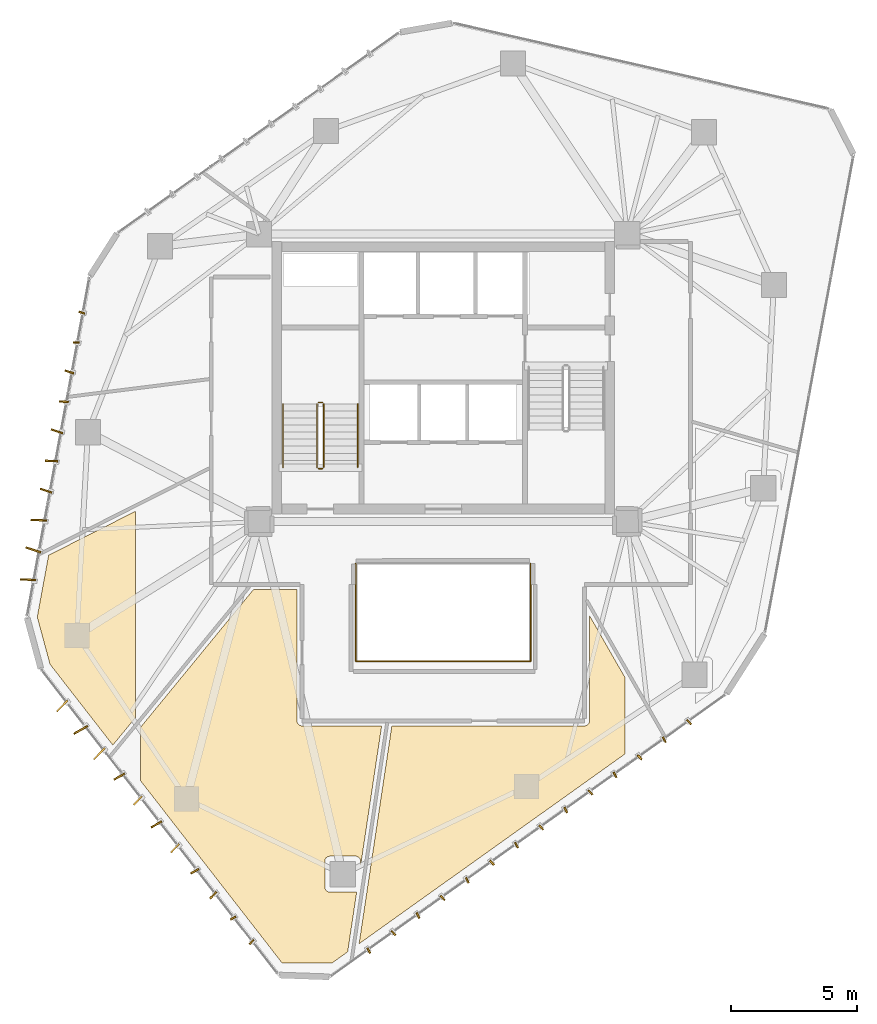
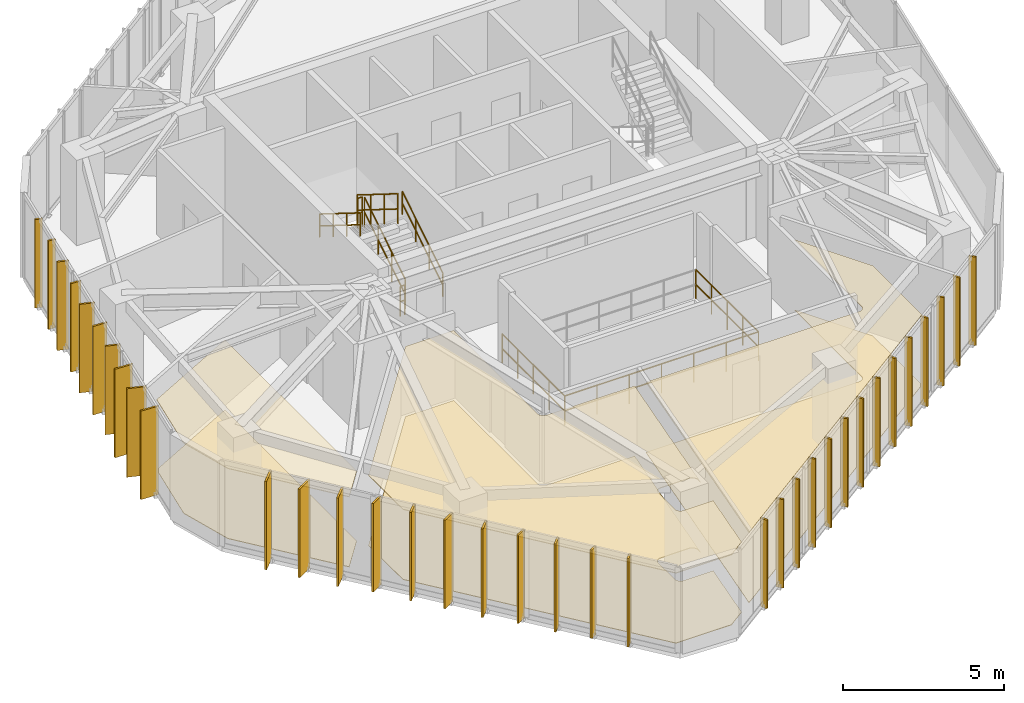
# One storey, part 18 of 19: 35 shading devices, 9 railings, 6 coverings.
"""IFC4 building model written with IfcOpenShell, lengths in metres."""

from ifc_helpers import new_model, si_unit, direction, frame, origin, origin_2d, place, context, subcontext, project, spatial, polyline, rectangle, circle, outline, extrude, source, transform, mapped, material, layer, layer_set, type_object, type_shapes, element, save


model = new_model("IFC4")

# Units and contexts
model_context = context("Model", 3, precision=1e-05, world=origin(), true_north=direction((0.0, 1.0)))
body_context = subcontext(model_context, "Body", "Model", "MODEL_VIEW")
ifc_project = project(units=[si_unit("LENGTHUNIT", "METRE"), si_unit("AREAUNIT", "SQUARE_METRE"), si_unit("VOLUMEUNIT", "CUBIC_METRE"), si_unit("PLANEANGLEUNIT", "RADIAN"), si_unit("MASSUNIT", "GRAM", prefix="KILO")], contexts=[model_context])

# Site, building, storey
site_placement = place(None, origin())
site = spatial("IfcSite", under=ifc_project, at=site_placement, CompositionType="ELEMENT")
building_placement = place(site_placement, origin())
building = spatial("IfcBuilding", under=site, at=building_placement, Name="Talar Marvaseh", CompositionType="ELEMENT")
storey_placement = place(building_placement, frame((0.0, 0.0, 195.0)))
storey = spatial("IfcBuildingStorey", under=building, at=storey_placement, Name="L51", CompositionType="ELEMENT", Elevation=195.0)

# Railings
ifc_material_1 = material(Name="Stainless Steel Grade 316", Category="steel")
railing_type_1 = type_object("IfcRailingType", Name="Brushed Stainless Wall Pitch Handrail 900", PredefinedType="HANDRAIL", material=ifc_material_1)
railing_1_placement = place(storey_placement, frame((22.610107421875, 27.64990234375, 0.175048828125)))
element("IfcRailing", 1, at=railing_1_placement, inside=storey, type_object=railing_type_1, Name="L51 ST-1 stair handrail 1", PredefinedType="HANDRAIL", context=body_context, shape_type="SweptSolid", body=[
    extrude(circle(Radius=0.02392578125, at=origin_2d()), frame((0.0, 0.0, 0.8759765625), z_axis=(0.0, 0.848007534815, 0.529984170421), x_axis=(-1.0, 0.0, 0.0)), (0.0, 0.0, 1.0), 2.9716796875),
    extrude(circle(Radius=0.02392578125, at=origin_2d()), frame((0.0, 0.0, 0.42578125), z_axis=(0.0, 0.848007534815, 0.529984170421), x_axis=(-1.0, 0.0, 0.0)), (0.0, 0.0, 1.0), 2.9716796875),
    extrude(circle(Radius=0.02099609375, at=origin_2d()), origin(), (0.0, 0.0, 1.0), 0.851806640625),
    extrude(circle(Radius=0.02099609375, at=origin_2d()), frame((0.0, 0.840087890625, 0.52490234375)), (0.0, 0.0, 1.0), 0.851806640625),
    extrude(circle(Radius=0.02099609375, at=origin_2d()), frame((0.0, 1.679931640625, 1.050048828125)), (0.0, 0.0, 1.0), 0.851806640625),
    extrude(circle(Radius=0.02099609375, at=origin_2d()), frame((0.0, 2.52001953125, 1.574951171875)), (0.0, 0.0, 1.0), 0.851806640625),
])
railing_2_placement = place(storey_placement, frame((19.64990234375, 30.169921875, 1.925048828125)))
element("IfcRailing", 2, at=railing_2_placement, inside=storey, type_object=railing_type_1, Name="L51 ST-1 stair handrail 2", PredefinedType="HANDRAIL", context=body_context, shape_type="SweptSolid", body=[
    extrude(circle(Radius=0.02392578125, at=origin_2d()), frame((0.0, 0.0, 0.8759765625), z_axis=(0.0, -0.848007534815, 0.529984170421), x_axis=(1.0, 0.0, 0.0)), (0.0, 0.0, 1.0), 2.9716796875),
    extrude(circle(Radius=0.02392578125, at=origin_2d()), frame((0.0, 0.0, 0.42578125), z_axis=(0.0, -0.848007534815, 0.529984170421), x_axis=(1.0, 0.0, 0.0)), (0.0, 0.0, 1.0), 2.9716796875),
    extrude(circle(Radius=0.02099609375, at=origin_2d()), origin(), (0.0, 0.0, 1.0), 0.851806640625),
    extrude(circle(Radius=0.02099609375, at=origin_2d()), frame((0.0, -0.840087890625, 0.52490234375)), (0.0, 0.0, 1.0), 0.851806640625),
    extrude(circle(Radius=0.02099609375, at=origin_2d()), frame((0.0, -1.679931640625, 1.050048828125)), (0.0, 0.0, 1.0), 0.851806640625),
    extrude(circle(Radius=0.02099609375, at=origin_2d()), frame((0.0, -2.52001953125, 1.574951171875)), (0.0, 0.0, 1.0), 0.851806640625),
])
ifc_material_2 = material(Name="Tempered Clear Glass", Category="glass")
railing_type_2 = type_object("IfcRailingType", Name="Interior Atrium Edge Balustrade 1120", PredefinedType="BALUSTRADE", material=ifc_material_2)
railing_3_placement = place(storey_placement, frame((22.5302734375, 19.9609375, 0.0)))
element("IfcRailing", 3, at=railing_3_placement, inside=storey, type_object=railing_type_2, Name="L51 Internal Daylight Atrium Balustrade 1", PredefinedType="BALUSTRADE", context=body_context, shape_type="SweptSolid", body=[
    extrude(circle(Radius=0.02392578125, at=origin_2d()), frame((0.0, 0.0, 1.09619140625), z_axis=(1.0, 0.0, 0.0), x_axis=(0.0, 1.0, 0.0)), (0.0, 0.0, 1.0), 6.939453125),
    extrude(circle(Radius=0.02392578125, at=origin_2d()), frame((0.0, 0.0, 0.5361328125), z_axis=(1.0, 0.0, 0.0), x_axis=(0.0, 1.0, 0.0)), (0.0, 0.0, 1.0), 6.939453125),
    extrude(circle(Radius=0.02099609375, at=origin_2d()), origin(), (0.0, 0.0, 1.0), 1.072021484375),
    extrude(circle(Radius=0.02099609375, at=origin_2d()), frame((1.156494140625, 0.0, 0.0)), (0.0, 0.0, 1.0), 1.072021484375),
    extrude(circle(Radius=0.02099609375, at=origin_2d()), frame((2.313232421875, 0.0, 0.0)), (0.0, 0.0, 1.0), 1.072021484375),
    extrude(circle(Radius=0.02099609375, at=origin_2d()), frame((3.4697265625, 0.0, 0.0)), (0.0, 0.0, 1.0), 1.072021484375),
    extrude(circle(Radius=0.02099609375, at=origin_2d()), frame((4.626220703125, 0.0, 0.0)), (0.0, 0.0, 1.0), 1.072021484375),
    extrude(circle(Radius=0.02099609375, at=origin_2d()), frame((5.782958984375, 0.0, 0.0)), (0.0, 0.0, 1.0), 1.072021484375),
    extrude(circle(Radius=0.02099609375, at=origin_2d()), frame((6.939453125, 0.0, 0.0)), (0.0, 0.0, 1.0), 1.072021484375),
])
railing_4_placement = place(storey_placement, frame((29.4697265625, 19.9609375, 0.0)))
element("IfcRailing", 4, at=railing_4_placement, inside=storey, type_object=railing_type_2, Name="L51 Internal Daylight Atrium Balustrade 2", PredefinedType="BALUSTRADE", context=body_context, shape_type="SweptSolid", body=[
    extrude(circle(Radius=0.02392578125, at=origin_2d()), frame((0.0, 0.0, 1.09619140625), z_axis=(0.0, 1.0, 0.0), x_axis=(-1.0, 0.0, 0.0)), (0.0, 0.0, 1.0), 3.878173828125),
    extrude(circle(Radius=0.02392578125, at=origin_2d()), frame((0.0, 0.0, 0.5361328125), z_axis=(0.0, 1.0, 0.0), x_axis=(-1.0, 0.0, 0.0)), (0.0, 0.0, 1.0), 3.878173828125),
    extrude(circle(Radius=0.02099609375, at=origin_2d()), origin(), (0.0, 0.0, 1.0), 1.072021484375),
    extrude(circle(Radius=0.02099609375, at=origin_2d()), frame((0.0, 0.969482421875, 0.0)), (0.0, 0.0, 1.0), 1.072021484375),
    extrude(circle(Radius=0.02099609375, at=origin_2d()), frame((0.0, 1.93896484375, 0.0)), (0.0, 0.0, 1.0), 1.072021484375),
    extrude(circle(Radius=0.02099609375, at=origin_2d()), frame((0.0, 2.90869140625, 0.0)), (0.0, 0.0, 1.0), 1.072021484375),
    extrude(circle(Radius=0.02099609375, at=origin_2d()), frame((0.0, 3.878173828125, 0.0)), (0.0, 0.0, 1.0), 1.072021484375),
])
railing_5_placement = place(storey_placement, frame((22.5302734375, 23.839111328125, 0.0)))
element("IfcRailing", 5, at=railing_5_placement, inside=storey, type_object=railing_type_2, Name="L51 Internal Daylight Atrium Balustrade 4", PredefinedType="BALUSTRADE", context=body_context, shape_type="SweptSolid", body=[
    extrude(circle(Radius=0.02392578125, at=origin_2d()), frame((0.0, 0.0, 1.09619140625), z_axis=(0.0, -1.0, 0.0), x_axis=(1.0, 0.0, 0.0)), (0.0, 0.0, 1.0), 3.878173828125),
    extrude(circle(Radius=0.02392578125, at=origin_2d()), frame((0.0, 0.0, 0.5361328125), z_axis=(0.0, -1.0, 0.0), x_axis=(1.0, 0.0, 0.0)), (0.0, 0.0, 1.0), 3.878173828125),
    extrude(circle(Radius=0.02099609375, at=origin_2d()), origin(), (0.0, 0.0, 1.0), 1.072021484375),
    extrude(circle(Radius=0.02099609375, at=origin_2d()), frame((0.0, -0.969482421875, 0.0)), (0.0, 0.0, 1.0), 1.072021484375),
    extrude(circle(Radius=0.02099609375, at=origin_2d()), frame((0.0, -1.93896484375, 0.0)), (0.0, 0.0, 1.0), 1.072021484375),
    extrude(circle(Radius=0.02099609375, at=origin_2d()), frame((0.0, -2.90869140625, 0.0)), (0.0, 0.0, 1.0), 1.072021484375),
    extrude(circle(Radius=0.02099609375, at=origin_2d()), frame((0.0, -3.878173828125, 0.0)), (0.0, 0.0, 1.0), 1.072021484375),
])
railing_type_3 = type_object("IfcRailingType", Name="Painted Steel Core Stair Well Guardrail 1150", PredefinedType="GUARDRAIL", material=ifc_material_1)
railing_6_placement = place(storey_placement, frame((21.260009765625, 27.64990234375, 0.175048828125)))
element("IfcRailing", 6, at=railing_6_placement, inside=storey, type_object=railing_type_3, Name="L51 ST-1 stair guard 1", PredefinedType="GUARDRAIL", context=body_context, shape_type="SweptSolid", body=[
    extrude(circle(Radius=0.02392578125, at=origin_2d()), frame((0.0, 0.0, 1.1259765625), z_axis=(0.0, 0.848007534815, 0.529984170421), x_axis=(-1.0, 0.0, 0.0)), (0.0, 0.0, 1.0), 2.9716796875),
    extrude(circle(Radius=0.02392578125, at=origin_2d()), frame((0.0, 0.0, 0.55078125), z_axis=(0.0, 0.848007534815, 0.529984170421), x_axis=(-1.0, 0.0, 0.0)), (0.0, 0.0, 1.0), 2.9716796875),
    extrude(circle(Radius=0.02099609375, at=origin_2d()), origin(), (0.0, 0.0, 1.0), 1.101806640625),
    extrude(circle(Radius=0.02099609375, at=origin_2d()), frame((0.0, 0.840087890625, 0.52490234375)), (0.0, 0.0, 1.0), 1.101806640625),
    extrude(circle(Radius=0.02099609375, at=origin_2d()), frame((0.0, 1.679931640625, 1.050048828125)), (0.0, 0.0, 1.0), 1.101806640625),
    extrude(circle(Radius=0.02099609375, at=origin_2d()), frame((0.0, 2.52001953125, 1.574951171875)), (0.0, 0.0, 1.0), 1.101806640625),
])
railing_7_placement = place(storey_placement, frame((21.2099609375, 30.219970703125, 1.75)))
element("IfcRailing", 7, at=railing_7_placement, inside=storey, type_object=railing_type_3, Name="L51 ST-1 stair guard 2", PredefinedType="GUARDRAIL", context=body_context, shape_type="SweptSolid", body=[
    extrude(circle(Radius=0.02392578125, at=origin_2d()), frame((0.0, 0.0, 1.1259765625), z_axis=(-1.0, 0.0, 0.0), x_axis=(0.0, -1.0, 0.0)), (0.0, 0.0, 1.0), 0.159912109375),
    extrude(circle(Radius=0.02392578125, at=origin_2d()), frame((0.0, 0.0, 0.55078125), z_axis=(-1.0, 0.0, 0.0), x_axis=(0.0, -1.0, 0.0)), (0.0, 0.0, 1.0), 0.159912109375),
    extrude(circle(Radius=0.02099609375, at=origin_2d()), origin(), (0.0, 0.0, 1.0), 1.101806640625),
    extrude(circle(Radius=0.02099609375, at=origin_2d()), frame((-0.159912109375, 0.0, 0.0)), (0.0, 0.0, 1.0), 1.101806640625),
])
railing_8_placement = place(storey_placement, frame((21.0, 30.169921875, 1.925048828125)))
element("IfcRailing", 8, at=railing_8_placement, inside=storey, type_object=railing_type_3, Name="L51 ST-1 stair guard 3", PredefinedType="GUARDRAIL", context=body_context, shape_type="SweptSolid", body=[
    extrude(circle(Radius=0.02392578125, at=origin_2d()), frame((0.0, 0.0, 1.1259765625), z_axis=(0.0, -0.848007534815, 0.529984170421), x_axis=(1.0, 0.0, 0.0)), (0.0, 0.0, 1.0), 2.9716796875),
    extrude(circle(Radius=0.02392578125, at=origin_2d()), frame((0.0, 0.0, 0.55078125), z_axis=(0.0, -0.848007534815, 0.529984170421), x_axis=(1.0, 0.0, 0.0)), (0.0, 0.0, 1.0), 2.9716796875),
    extrude(circle(Radius=0.02099609375, at=origin_2d()), origin(), (0.0, 0.0, 1.0), 1.101806640625),
    extrude(circle(Radius=0.02099609375, at=origin_2d()), frame((0.0, -0.840087890625, 0.52490234375)), (0.0, 0.0, 1.0), 1.101806640625),
    extrude(circle(Radius=0.02099609375, at=origin_2d()), frame((0.0, -1.679931640625, 1.050048828125)), (0.0, 0.0, 1.0), 1.101806640625),
    extrude(circle(Radius=0.02099609375, at=origin_2d()), frame((0.0, -2.52001953125, 1.574951171875)), (0.0, 0.0, 1.0), 1.101806640625),
])
railing_9_placement = place(storey_placement, frame((21.2099609375, 27.60009765625, 0.0)))
element("IfcRailing", 9, at=railing_9_placement, inside=storey, type_object=railing_type_3, Name="L51 ST-1 stair guard 4", PredefinedType="GUARDRAIL", context=body_context, shape_type="SweptSolid", body=[
    extrude(circle(Radius=0.02392578125, at=origin_2d()), frame((0.0, 0.0, 1.1259765625), z_axis=(-1.0, 0.0, 0.0), x_axis=(0.0, -1.0, 0.0)), (0.0, 0.0, 1.0), 0.159912109375),
    extrude(circle(Radius=0.02392578125, at=origin_2d()), frame((0.0, 0.0, 0.55078125), z_axis=(-1.0, 0.0, 0.0), x_axis=(0.0, -1.0, 0.0)), (0.0, 0.0, 1.0), 0.159912109375),
    extrude(circle(Radius=0.02099609375, at=origin_2d()), origin(), (0.0, 0.0, 1.0), 1.101806640625),
    extrude(circle(Radius=0.02099609375, at=origin_2d()), frame((-0.159912109375, 0.0, 0.0)), (0.0, 0.0, 1.0), 1.101806640625),
])

# Coverings
ifc_material_3 = material(Name="Mineral Fibre Acoustic Ceiling")
ifc_layer_1 = layer(ifc_material_3, 0.02490234375)
ifc_layer_set_1 = layer_set([ifc_layer_1], Name="Mineral Fibre Acoustic Ceiling")
covering_type_1 = type_object("IfcCoveringType", Name="Perforated Mineral Fibre Acoustic Suspended Ceiling", PredefinedType="CEILING", material=ifc_layer_set_1)
covering_1_placement = place(storey_placement, frame((0.0, 0.0, 2.64990234375)))
element("IfcCovering", 10, at=covering_1_placement, inside=storey, type_object=covering_type_1, Name="L51 Seminar Room Acoustic Ceiling", PredefinedType="CEILING", context=body_context, shape_type="SweptSolid", body=[
    extrude(outline(polyline([(13.800048828125, 25.9111328125), (13.800048828125, 17.7333984375), (12.899169921875, 16.634521484375), (10.408203125, 19.84033203125), (9.901123046875, 21.716064453125), (10.352783203125, 24.169189453125), (13.800048828125, 25.9111328125)])), origin(), (0.0, 0.0, 1.0), 0.025146484375),
])
covering_2_placement = place(storey_placement, frame((0.0, 0.0, 2.64990234375)))
element("IfcCovering", 11, at=covering_2_placement, inside=storey, type_object=covering_type_1, Name="L51 Hospitality Tea Pantry Acoustic Ceiling", PredefinedType="CEILING", context=body_context, shape_type="SweptSolid", body=[
    extrude(outline(polyline([(14.0, 17.346435546875), (18.470703125, 22.800048828125), (20.199951171875, 22.800048828125), (20.199951171875, 17.60009765625), (20.200927734375, 17.580322265625), (20.203857421875, 17.56103515625), (20.20849609375, 17.5419921875), (20.215087890625, 17.5234375), (20.2236328125, 17.505615234375), (20.233642578125, 17.489013671875), (20.245361328125, 17.47314453125), (20.258544921875, 17.45849609375), (20.273193359375, 17.4453125), (20.288818359375, 17.43359375), (20.3056640625, 17.423583984375), (20.323486328125, 17.415283203125), (20.341796875, 17.40869140625), (20.361083984375, 17.40380859375), (20.38037109375, 17.40087890625), (20.39990234375, 17.39990234375), (23.55859375, 17.39990234375), (22.729248046875, 11.8818359375), (22.72998046875, 12.019775390625), (22.72900390625, 12.038330078125), (22.7265625, 12.056640625), (22.722412109375, 12.074951171875), (22.716552734375, 12.092529296875), (22.708984375, 12.109619140625), (22.699951171875, 12.1259765625), (22.689208984375, 12.141357421875), (22.677490234375, 12.155517578125), (22.664306640625, 12.168701171875), (22.6494140625, 12.18212890625), (22.635009765625, 12.194091796875), (22.61962890625, 12.204345703125), (22.603515625, 12.21337890625), (22.586669921875, 12.220703125), (22.569091796875, 12.2265625), (22.551025390625, 12.230712890625), (22.53271484375, 12.233154296875), (22.51416015625, 12.23388671875), (21.50341796875, 12.2294921875), (21.48388671875, 12.228515625), (21.464599609375, 12.2255859375), (21.44580078125, 12.220703125), (21.42724609375, 12.214111328125), (21.40966796875, 12.205810546875), (21.392822265625, 12.195556640625), (21.377197265625, 12.183837890625), (21.36279296875, 12.170654296875), (21.349609375, 12.15625), (21.337890625, 12.140380859375), (21.327880859375, 12.12353515625), (21.319580078125, 12.10595703125), (21.31298828125, 12.08740234375), (21.30810546875, 12.068603515625), (21.305419921875, 12.049072265625), (21.304443359375, 12.029541015625), (21.304443359375, 11.00830078125), (21.305419921875, 10.98876953125), (21.30810546875, 10.969482421875), (21.31298828125, 10.9501953125), (21.319580078125, 10.931884765625), (21.327880859375, 10.9140625), (21.338134765625, 10.897216796875), (21.349853515625, 10.881591796875), (21.363037109375, 10.866943359375), (21.37744140625, 10.853759765625), (21.393310546875, 10.842041015625), (21.41015625, 10.83203125), (21.427978515625, 10.823486328125), (21.4462890625, 10.81689453125), (21.46533203125, 10.812255859375), (21.48486328125, 10.809326171875), (21.50439453125, 10.808349609375), (22.525634765625, 10.808349609375), (22.545166015625, 10.809326171875), (22.564453125, 10.812255859375), (22.568603515625, 10.813232421875), (22.211669921875, 8.437255859375), (21.59912109375, 8.0), (19.607666015625, 8.0), (14.0, 15.21728515625), (14.0, 17.346435546875)])), origin(), (0.0, 0.0, 1.0), 0.025146484375),
])
covering_3_placement = place(storey_placement, frame((0.0, 0.0, 2.64990234375)))
element("IfcCovering", 12, at=covering_3_placement, inside=storey, type_object=covering_type_1, Name="L51 Colloquium Boardroom Acoustic Ceiling", PredefinedType="CEILING", context=body_context, shape_type="SweptSolid", body=[
    extrude(outline(polyline([(31.61962890625, 17.40087890625), (31.638916015625, 17.40380859375), (31.658203125, 17.40869140625), (31.676513671875, 17.415283203125), (31.6943359375, 17.423583984375), (31.711181640625, 17.43359375), (31.726806640625, 17.4453125), (31.741455078125, 17.45849609375), (31.754638671875, 17.47314453125), (31.766357421875, 17.489013671875), (31.7763671875, 17.505615234375), (31.784912109375, 17.5234375), (31.79150390625, 17.5419921875), (31.796142578125, 17.56103515625), (31.799072265625, 17.580322265625), (31.800048828125, 17.60009765625), (31.800048828125, 21.77587890625), (33.199951171875, 19.332763671875), (33.199951171875, 16.277587890625), (22.664794921875, 8.760498046875), (23.963134765625, 17.39990234375), (31.60009765625, 17.39990234375), (31.61962890625, 17.40087890625)])), origin(), (0.0, 0.0, 1.0), 0.025146484375),
])
ifc_material_4 = material(Name="Porcelain Stoneware Tile", Category="masonry")
ifc_layer_2 = layer(ifc_material_4, 0.02001953125)
ifc_layer_set_2 = layer_set([ifc_layer_2], Name="Porcelain Stoneware Tile")
covering_type_2 = type_object("IfcCoveringType", Name="Polished Porcelain Stoneware Gallery Flooring", PredefinedType="FLOORING", material=ifc_layer_set_2)
covering_4_placement = place(storey_placement, origin())
element("IfcCovering", 13, at=covering_4_placement, inside=storey, type_object=covering_type_2, Name="L51 Seminar Room Flooring", PredefinedType="FLOORING", context=body_context, shape_type="SweptSolid", body=[
    extrude(outline(polyline([(13.800048828125, 25.9111328125), (13.800048828125, 17.7333984375), (12.899169921875, 16.634521484375), (10.408203125, 19.84033203125), (9.901123046875, 21.716064453125), (10.352783203125, 24.169189453125), (13.800048828125, 25.9111328125)])), origin(), (0.0, 0.0, 1.0), 0.02001953125),
])
covering_5_placement = place(storey_placement, origin())
element("IfcCovering", 14, at=covering_5_placement, inside=storey, type_object=covering_type_2, Name="L51 Hospitality Tea Pantry Flooring", PredefinedType="FLOORING", context=body_context, shape_type="SweptSolid", body=[
    extrude(outline(polyline([(14.0, 17.346435546875), (18.470703125, 22.800048828125), (20.199951171875, 22.800048828125), (20.199951171875, 17.60009765625), (20.200927734375, 17.580322265625), (20.203857421875, 17.56103515625), (20.20849609375, 17.5419921875), (20.215087890625, 17.5234375), (20.2236328125, 17.505615234375), (20.233642578125, 17.489013671875), (20.245361328125, 17.47314453125), (20.258544921875, 17.45849609375), (20.273193359375, 17.4453125), (20.288818359375, 17.43359375), (20.3056640625, 17.423583984375), (20.323486328125, 17.415283203125), (20.341796875, 17.40869140625), (20.361083984375, 17.40380859375), (20.38037109375, 17.40087890625), (20.39990234375, 17.39990234375), (23.55859375, 17.39990234375), (22.729248046875, 11.8818359375), (22.72998046875, 12.019775390625), (22.72900390625, 12.038330078125), (22.7265625, 12.056640625), (22.722412109375, 12.074951171875), (22.716552734375, 12.092529296875), (22.708984375, 12.109619140625), (22.699951171875, 12.1259765625), (22.689208984375, 12.141357421875), (22.677490234375, 12.155517578125), (22.664306640625, 12.168701171875), (22.6494140625, 12.18212890625), (22.635009765625, 12.194091796875), (22.61962890625, 12.204345703125), (22.603515625, 12.21337890625), (22.586669921875, 12.220703125), (22.569091796875, 12.2265625), (22.551025390625, 12.230712890625), (22.53271484375, 12.233154296875), (22.51416015625, 12.23388671875), (21.50341796875, 12.2294921875), (21.48388671875, 12.228515625), (21.464599609375, 12.2255859375), (21.44580078125, 12.220703125), (21.42724609375, 12.214111328125), (21.40966796875, 12.205810546875), (21.392822265625, 12.195556640625), (21.377197265625, 12.183837890625), (21.36279296875, 12.170654296875), (21.349609375, 12.15625), (21.337890625, 12.140380859375), (21.327880859375, 12.12353515625), (21.319580078125, 12.10595703125), (21.31298828125, 12.08740234375), (21.30810546875, 12.068603515625), (21.305419921875, 12.049072265625), (21.304443359375, 12.029541015625), (21.304443359375, 11.00830078125), (21.305419921875, 10.98876953125), (21.30810546875, 10.969482421875), (21.31298828125, 10.9501953125), (21.319580078125, 10.931884765625), (21.327880859375, 10.9140625), (21.338134765625, 10.897216796875), (21.349853515625, 10.881591796875), (21.363037109375, 10.866943359375), (21.37744140625, 10.853759765625), (21.393310546875, 10.842041015625), (21.41015625, 10.83203125), (21.427978515625, 10.823486328125), (21.4462890625, 10.81689453125), (21.46533203125, 10.812255859375), (21.48486328125, 10.809326171875), (21.50439453125, 10.808349609375), (22.525634765625, 10.808349609375), (22.545166015625, 10.809326171875), (22.564453125, 10.812255859375), (22.568603515625, 10.813232421875), (22.211669921875, 8.437255859375), (21.59912109375, 8.0), (19.607666015625, 8.0), (14.0, 15.21728515625), (14.0, 17.346435546875)])), origin(), (0.0, 0.0, 1.0), 0.02001953125),
])
covering_6_placement = place(storey_placement, origin())
element("IfcCovering", 15, at=covering_6_placement, inside=storey, type_object=covering_type_2, Name="L51 Colloquium Boardroom Flooring", PredefinedType="FLOORING", context=body_context, shape_type="SweptSolid", body=[
    extrude(outline(polyline([(31.61962890625, 17.40087890625), (31.638916015625, 17.40380859375), (31.658203125, 17.40869140625), (31.676513671875, 17.415283203125), (31.6943359375, 17.423583984375), (31.711181640625, 17.43359375), (31.726806640625, 17.4453125), (31.741455078125, 17.45849609375), (31.754638671875, 17.47314453125), (31.766357421875, 17.489013671875), (31.7763671875, 17.505615234375), (31.784912109375, 17.5234375), (31.79150390625, 17.5419921875), (31.796142578125, 17.56103515625), (31.799072265625, 17.580322265625), (31.800048828125, 17.60009765625), (31.800048828125, 21.77587890625), (33.199951171875, 19.332763671875), (33.199951171875, 16.277587890625), (22.664794921875, 8.760498046875), (23.963134765625, 17.39990234375), (31.60009765625, 17.39990234375), (31.61962890625, 17.40087890625)])), origin(), (0.0, 0.0, 1.0), 0.02001953125),
])

# Shading devices
ifc_material_5 = material(Name="Anodised Champagne Bronze Aluminium", Category="aluminium")
ifc_layer_3 = layer(ifc_material_5, 0.06494140625)
ifc_layer_set_3 = layer_set([ifc_layer_3], Name="Anodised Champagne Bronze Aluminium")
shading_device_type_1 = type_object("IfcShadingDeviceType", Name="Sawtooth Champagne Bronze Vertical Fin 240", PredefinedType="USERDEFINED", material=ifc_layer_set_3)
shared_shape_1 = source(origin(), body_context, "Body", "SweptSolid", [
    extrude(rectangle(XDim=0.239990234375, YDim=0.06494140625, at=origin_2d()), origin(), (0.0, 0.0, 1.0), 3.35009765625),
])
type_shapes(shading_device_type_1, [shared_shape_1])
for number, where, z_axis, x_axis, name in (
    (16, (18.401611328125, 8.826904296875, -0.1201171875), (0.0, 0.0, 1.0), (-0.696539214946, -0.717518725918, 0.0), "L51 Sawtooth Vertical Solar Fin"),
    (17, (17.66552734375, 9.7744140625, -0.1201171875), (0.0, 0.0, 1.0), (-0.867331431408, -0.497731039913, 0.0), "L51 Sawtooth Vertical Solar Fin"),
    (18, (11.453125, 32.603759765625, -0.1201171875), (0.0, 0.0, 1.0), (-0.999100767101, 0.042398787456, 0.0), "L51 Sawtooth Vertical Solar Fin"),
    (19, (11.67041015625, 33.783935546875, -0.1201171875), (0.0, 0.0, 1.0), (-0.948710608133, 0.316145823974, 0.0), "L51 Sawtooth Vertical Solar Fin"),
    (20, (35.746337890625, 17.5478515625, -0.1201171875), (0.0, 0.0, 1.0), (0.68848116692, -0.725254219427, 0.0), "L51 Sawtooth Vertical Solar Fin"),
    (21, (34.76953125, 16.850830078125, -0.1201171875), (0.0, 0.0, 1.0), (0.461903418797, -0.886930229333, 0.0), "L51 Sawtooth Vertical Solar Fin"),
    (22, (33.792724609375, 16.15380859375, -0.1201171875), (0.0, 0.0, 1.0), (0.68848116692, -0.725254219427, 0.0), "L51 Sawtooth Vertical Solar Fin"),
    (23, (32.81591796875, 15.456787109375, -0.1201171875), (0.0, 0.0, 1.0), (0.461903418797, -0.886930229333, 0.0), "L51 Sawtooth Vertical Solar Fin"),
    (24, (31.839111328125, 14.760009765625, -0.1201171875), (0.0, 0.0, 1.0), (0.68848116692, -0.725254219427, 0.0), "L51 Sawtooth Vertical Solar Fin"),
    (25, (30.8623046875, 14.06298828125, -0.1201171875), (0.0, 0.0, 1.0), (0.461903418797, -0.886930229333, 0.0), "L51 Sawtooth Vertical Solar Fin"),
    (26, (29.885498046875, 13.365966796875, -0.1201171875), (0.0, 0.0, 1.0), (0.68848116692, -0.725254219427, 0.0), "L51 Sawtooth Vertical Solar Fin"),
    (27, (28.908447265625, 12.6689453125, -0.1201171875), (0.0, 0.0, 1.0), (0.461903418797, -0.886930229333, 0.0), "L51 Sawtooth Vertical Solar Fin"),
    (28, (27.931640625, 11.971923828125, -0.1201171875), (0.0, 0.0, 1.0), (0.68848116692, -0.725254219427, 0.0), "L51 Sawtooth Vertical Solar Fin"),
    (29, (26.954833984375, 11.27490234375, -0.1201171875), (0.0, 0.0, 1.0), (0.461903418797, -0.886930229333, 0.0), "L51 Sawtooth Vertical Solar Fin"),
    (30, (25.97802734375, 10.577880859375, -0.1201171875), (0.0, 0.0, 1.0), (0.68848116692, -0.725254219427, 0.0), "L51 Sawtooth Vertical Solar Fin"),
    (31, (25.001220703125, 9.880859375, -0.1201171875), (0.0, 0.0, 1.0), (0.461903418797, -0.886930229333, 0.0), "L51 Sawtooth Vertical Solar Fin"),
    (32, (24.0244140625, 9.183837890625, -0.1201171875), (0.0, 0.0, 1.0), (0.68848116692, -0.725254219427, 0.0), "L51 Sawtooth Vertical Solar Fin"),
    (33, (23.047607421875, 8.48681640625, -0.1201171875), (0.0, 0.0, 1.0), (0.461903418797, -0.886930229333, 0.0), "L51 Sawtooth Vertical Solar Fin"),
):
    element("IfcShadingDevice", number, at=place(storey_placement, frame(where, z_axis=z_axis, x_axis=x_axis)), inside=storey, type_object=shading_device_type_1, Name=name, ObjectType="FIN", PredefinedType="USERDEFINED", context=body_context, shape_type="MappedRepresentation", body=[
        mapped(shared_shape_1, transform((0.0, 0.0, 0.0), x_axis=(1.0, 0.0, 0.0), y_axis=(0.0, 1.0, 0.0), z_axis=(0.0, 0.0, 1.0), scale=1.0)),
    ])
ifc_layer_4 = layer(ifc_material_5, 0.06494140625)
ifc_layer_set_4 = layer_set([ifc_layer_4], Name="Anodised Champagne Bronze Aluminium")
shading_device_type_2 = type_object("IfcShadingDeviceType", Name="Sawtooth Champagne Bronze Vertical Fin 360", PredefinedType="USERDEFINED", material=ifc_layer_set_4)
shared_shape_2 = source(origin(), body_context, "Body", "SweptSolid", [
    extrude(rectangle(XDim=0.360107421875, YDim=0.06494140625, at=origin_2d()), origin(), (0.0, 0.0, 1.0), 3.35009765625),
])
type_shapes(shading_device_type_2, [shared_shape_2])
for number, where, z_axis, x_axis, name in (
    (34, (16.8818359375, 10.685302734375, -0.1201171875), (0.0, 0.0, 1.0), (-0.696539214946, -0.717518725918, 0.0), "L51 Sawtooth Vertical Solar Fin"),
    (35, (16.1455078125, 11.6328125, -0.1201171875), (0.0, 0.0, 1.0), (-0.867331431408, -0.497731039913, 0.0), "L51 Sawtooth Vertical Solar Fin"),
    (36, (10.959716796875, 30.254150390625, -0.1201171875), (0.0, 0.0, 1.0), (-0.999100767101, 0.042398787456, 0.0), "L51 Sawtooth Vertical Solar Fin"),
    (37, (11.177001953125, 31.434326171875, -0.1201171875), (0.0, 0.0, 1.0), (-0.948710608133, 0.316145823974, 0.0), "L51 Sawtooth Vertical Solar Fin"),
):
    element("IfcShadingDevice", number, at=place(storey_placement, frame(where, z_axis=z_axis, x_axis=x_axis)), inside=storey, type_object=shading_device_type_2, Name=name, ObjectType="FIN", PredefinedType="USERDEFINED", context=body_context, shape_type="MappedRepresentation", body=[
        mapped(shared_shape_2, transform((0.0, 0.0, 0.0), x_axis=(1.0, 0.0, 0.0), y_axis=(0.0, 1.0, 0.0), z_axis=(0.0, 0.0, 1.0), scale=1.0)),
    ])
ifc_layer_5 = layer(ifc_material_5, 0.06494140625)
ifc_layer_set_5 = layer_set([ifc_layer_5], Name="Anodised Champagne Bronze Aluminium")
shading_device_type_3 = type_object("IfcShadingDeviceType", Name="Sawtooth Champagne Bronze Vertical Fin 480", PredefinedType="USERDEFINED", material=ifc_layer_set_5)
shared_shape_3 = source(origin(), body_context, "Body", "SweptSolid", [
    extrude(rectangle(XDim=0.47998046875, YDim=0.06494140625, at=origin_2d()), origin(), (0.0, 0.0, 1.0), 3.35009765625),
])
type_shapes(shading_device_type_3, [shared_shape_3])
for number, where, z_axis, x_axis, name in (
    (38, (15.362060546875, 12.543701171875, -0.1201171875), (0.0, 0.0, 1.0), (-0.696539214946, -0.717518725918, 0.0), "L51 Sawtooth Vertical Solar Fin"),
    (39, (14.625732421875, 13.4912109375, -0.1201171875), (0.0, 0.0, 1.0), (-0.867331431408, -0.497731039913, 0.0), "L51 Sawtooth Vertical Solar Fin"),
    (40, (13.889404296875, 14.438720703125, -0.1201171875), (0.0, 0.0, 1.0), (-0.696539214946, -0.717518725918, 0.0), "L51 Sawtooth Vertical Solar Fin"),
    (41, (13.1533203125, 15.386474609375, -0.1201171875), (0.0, 0.0, 1.0), (-0.867331431408, -0.497731039913, 0.0), "L51 Sawtooth Vertical Solar Fin"),
    (42, (10.248779296875, 26.724609375, -0.1201171875), (0.0, 0.0, 1.0), (-0.948710608133, 0.316145823974, 0.0), "L51 Sawtooth Vertical Solar Fin"),
    (43, (10.466064453125, 27.90478515625, -0.1201171875), (0.0, 0.0, 1.0), (-0.999100767101, 0.042398787456, 0.0), "L51 Sawtooth Vertical Solar Fin"),
    (44, (10.683349609375, 29.0849609375, -0.1201171875), (0.0, 0.0, 1.0), (-0.948710608133, 0.316145823974, 0.0), "L51 Sawtooth Vertical Solar Fin"),
):
    element("IfcShadingDevice", number, at=place(storey_placement, frame(where, z_axis=z_axis, x_axis=x_axis)), inside=storey, type_object=shading_device_type_3, Name=name, ObjectType="FIN", PredefinedType="USERDEFINED", context=body_context, shape_type="MappedRepresentation", body=[
        mapped(shared_shape_3, transform((0.0, 0.0, 0.0), x_axis=(1.0, 0.0, 0.0), y_axis=(0.0, 1.0, 0.0), z_axis=(0.0, 0.0, 1.0), scale=1.0)),
    ])
ifc_layer_6 = layer(ifc_material_5, 0.06494140625)
ifc_layer_set_6 = layer_set([ifc_layer_6], Name="Anodised Champagne Bronze Aluminium")
shading_device_type_4 = type_object("IfcShadingDeviceType", Name="Sawtooth Champagne Bronze Vertical Fin 620", PredefinedType="USERDEFINED", material=ifc_layer_set_6)
shared_shape_4 = source(origin(), body_context, "Body", "SweptSolid", [
    extrude(rectangle(XDim=0.6201171875, YDim=0.06494140625, at=origin_2d()), origin(), (0.0, 0.0, 1.0), 3.35009765625),
])
type_shapes(shading_device_type_4, [shared_shape_4])
for number, where, z_axis, x_axis, name in (
    (45, (12.36181640625, 16.291015625, -0.1201171875), (0.0, 0.0, 1.0), (-0.696539214946, -0.717518725918, 0.0), "L51 Sawtooth Vertical Solar Fin"),
    (46, (11.62548828125, 17.238525390625, -0.1201171875), (0.0, 0.0, 1.0), (-0.867331431408, -0.497731039913, 0.0), "L51 Sawtooth Vertical Solar Fin"),
    (47, (10.88916015625, 18.186279296875, -0.1201171875), (0.0, 0.0, 1.0), (-0.696539214946, -0.717518725918, 0.0), "L51 Sawtooth Vertical Solar Fin"),
    (48, (9.528076171875, 23.19677734375, -0.1201171875), (0.0, 0.0, 1.0), (-0.999100767101, 0.042398787456, 0.0), "L51 Sawtooth Vertical Solar Fin"),
    (49, (9.745361328125, 24.376953125, -0.1201171875), (0.0, 0.0, 1.0), (-0.948710608133, 0.316145823974, 0.0), "L51 Sawtooth Vertical Solar Fin"),
    (50, (9.962646484375, 25.55712890625, -0.1201171875), (0.0, 0.0, 1.0), (-0.999100767101, 0.042398787456, 0.0), "L51 Sawtooth Vertical Solar Fin"),
):
    element("IfcShadingDevice", number, at=place(storey_placement, frame(where, z_axis=z_axis, x_axis=x_axis)), inside=storey, type_object=shading_device_type_4, Name=name, ObjectType="FIN", PredefinedType="USERDEFINED", context=body_context, shape_type="MappedRepresentation", body=[
        mapped(shared_shape_4, transform((0.0, 0.0, 0.0), x_axis=(1.0, 0.0, 0.0), y_axis=(0.0, 1.0, 0.0), z_axis=(0.0, 0.0, 1.0), scale=1.0)),
    ])

save(model, "model.ifc")
